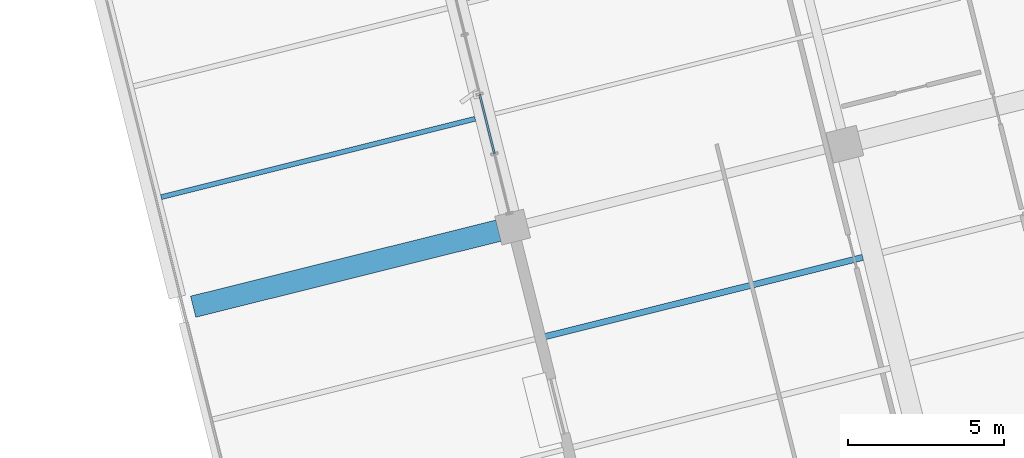
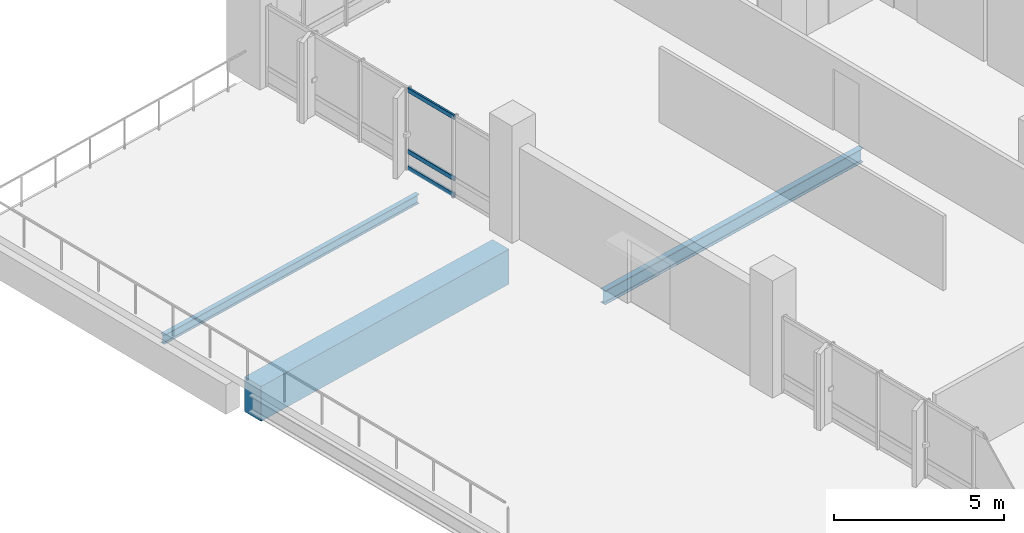
# One storey, part 30 of 75: 3 beams, 3 members, 1 element without a shape of its own.
"""IFC4 building model written with IfcOpenShell, lengths in metres."""

from ifc_helpers import new_model, si_unit, direction, frame, origin, origin_2d, place, context, subcontext, project, spatial, rectangle, hollow_rectangle, i_section, extrude, material, layer, layer_set, material_profile, profile_set, type_object, element, aggregate, save


model = new_model("IFC4")

# Units and contexts
model_context = context("Model", 3, precision=1e-05, world=origin(), true_north=direction((0.0, 1.0)))
body_context = subcontext(model_context, "Body", "Model", "MODEL_VIEW")
ifc_project = project(units=[si_unit("LENGTHUNIT", "METRE"), si_unit("AREAUNIT", "SQUARE_METRE"), si_unit("VOLUMEUNIT", "CUBIC_METRE"), si_unit("PLANEANGLEUNIT", "RADIAN"), si_unit("MASSUNIT", "GRAM", prefix="KILO")], contexts=[model_context])

# Site, building, storey
site_placement = place(None, origin())
site = spatial("IfcSite", under=ifc_project, at=site_placement, CompositionType="ELEMENT")
building_placement = place(site_placement, origin())
building = spatial("IfcBuilding", under=site, at=building_placement, Name="Khorjan Park Terminus", CompositionType="ELEMENT")
storey_placement = place(building_placement, frame((0.0, 0.0, 16.2)))
storey = spatial("IfcBuildingStorey", under=building, at=storey_placement, Name="L03", CompositionType="ELEMENT", Elevation=16.2)

# Beams
ifc_material_1 = material(Name="Concrete C40/50", Category="concrete")
ifc_material_profile_1 = material_profile(ifc_material_1, rectangle(XDim=0.7, YDim=1.25, at=origin_2d()), Name="RC 700x1250")
ifc_profile_set_1 = profile_set([ifc_material_profile_1], Name="Concrete C40/50")
beam_type_1 = type_object("IfcBeamType", Name="BM-RC700x1250", PredefinedType="BEAM", material=ifc_profile_set_1)
beam_1_placement = place(storey_placement, frame((174.4483, 60.7902, -0.895), z_axis=(0.970296490369, 0.241918830968, 0.0), x_axis=(-0.241918830968, 0.970296490369, 0.0)))
element("IfcBeam", 1, at=beam_1_placement, inside=storey, type_object=beam_type_1, Name="Primary skew-grid floor girder GB-125 (L03)", PredefinedType="BEAM", context=body_context, shape_type="SweptSolid", body=[
    extrude(rectangle(XDim=0.7, YDim=1.25, at=origin_2d()), origin(), (0.0, 0.0, 1.0), 10.11),
])
ifc_material_2 = material(Name="Steel S355", Category="steel")
ifc_material_profile_2 = material_profile(ifc_material_2, i_section(OverallWidth=0.16, OverallDepth=0.33, WebThickness=0.0075, FlangeThickness=0.0115, FilletRadius=0.018, at=origin_2d()), Name="IPE 330")
ifc_profile_set_2 = profile_set([ifc_material_profile_2], Name="Steel S355")
beam_type_2 = type_object("IfcBeamType", Name="JS-IPE330", PredefinedType="JOIST", material=ifc_profile_set_2)
beam_2_placement = place(storey_placement, frame((173.4206, 64.3129, -0.515), z_axis=(0.970297843589, 0.241913403364, 0.0), x_axis=(-0.241913403364, 0.970297843589, 0.0)))
element("IfcBeam", 2, at=beam_2_placement, inside=storey, type_object=beam_type_2, Name="Secondary composite floor joist SJ-33 (L03)", PredefinedType="JOIST", context=body_context, shape_type="SweptSolid", body=[
    extrude(i_section(OverallWidth=0.16, OverallDepth=0.33, WebThickness=0.0075, FlangeThickness=0.0115, FilletRadius=0.018, at=origin_2d()), origin(), (0.0, 0.0, 1.0), 10.4),
])
ifc_material_profile_3 = material_profile(ifc_material_2, i_section(OverallWidth=0.2, OverallDepth=0.5, WebThickness=0.0102, FlangeThickness=0.016, FilletRadius=0.021, at=origin_2d()), Name="IPE 500")
ifc_profile_set_3 = profile_set([ifc_material_profile_3], Name="Steel S355")
beam_type_3 = type_object("IfcBeamType", Name="JS-IPE500", PredefinedType="JOIST", material=ifc_profile_set_3)
beam_3_placement = place(storey_placement, frame((185.7467, 59.8282, -0.6), z_axis=(0.970296002015, 0.241920789668, 0.0), x_axis=(-0.241920789668, 0.970296002015, 0.0)))
element("IfcBeam", 3, at=beam_3_placement, inside=storey, type_object=beam_type_3, Name="Secondary composite floor joist SJ-50 (L03)", PredefinedType="JOIST", context=body_context, shape_type="SweptSolid", body=[
    extrude(i_section(OverallWidth=0.2, OverallDepth=0.5, WebThickness=0.0102, FlangeThickness=0.016, FilletRadius=0.021, at=origin_2d()), origin(), (0.0, 0.0, 1.0), 10.5249),
])

# Curtain wall, members
ifc_material_3 = material(Name="Anodized Bronze Aluminium", Category="aluminium")
ifc_layer = layer(ifc_material_3, 0.22)
ifc_layer_set = layer_set([ifc_layer], Name="Anodized Bronze Aluminium")
curtain_wall_type = type_object("IfcCurtainWallType", Name="CW-OPS-B", PredefinedType="NOTDEFINED", material=ifc_layer_set)
curtain_wall_placement = place(storey_placement, origin())
curtain_wall = element("IfcCurtainWall", 4, at=curtain_wall_placement, inside=storey, type_object=curtain_wall_type, Name="Unitized curtain wall CW-B (CW-V5-NW1-L03-B01)", PredefinedType="NOTDEFINED")
ifc_material_profile_4 = material_profile(ifc_material_3, hollow_rectangle(XDim=0.07, YDim=0.16, WallThickness=0.004, InnerFilletRadius=0.004, OuterFilletRadius=0.008, at=origin_2d()), Name="ALT 70x160x4")
ifc_profile_set_4 = profile_set([ifc_material_profile_4], Name="Anodized Bronze Aluminium")
member_type = type_object("IfcMemberType", Name="TR-ALT-160", PredefinedType="USERDEFINED", material=ifc_profile_set_4)
member_1_placement = place(storey_placement, frame((183.6493, 67.6202, 0.04), z_axis=(0.241915440024, -0.970297335809, 0.0), x_axis=(0.970297335809, 0.241915440024, 0.0)))
member_1 = element("IfcMember", 5, at=member_1_placement, type_object=member_type, Name="Curtain-wall transom TR-16 (CW-V5-NW1-L03-B01-3-1)", ObjectType="TRANSOM", PredefinedType="USERDEFINED", context=body_context, shape_type="SweptSolid", body=[
    extrude(hollow_rectangle(XDim=0.07, YDim=0.16, WallThickness=0.004, InnerFilletRadius=0.004, OuterFilletRadius=0.008, at=origin_2d()), origin(), (0.0, 0.0, 1.0), 1.973),
])
member_2_placement = place(storey_placement, frame((183.6493, 67.6202, 0.63), z_axis=(0.241915440024, -0.970297335809, 0.0), x_axis=(0.970297335809, 0.241915440024, 0.0)))
member_2 = element("IfcMember", 6, at=member_2_placement, type_object=member_type, Name="Curtain-wall transom TR-16 (CW-V5-NW1-L03-B01-3-2)", ObjectType="TRANSOM", PredefinedType="USERDEFINED", context=body_context, shape_type="SweptSolid", body=[
    extrude(hollow_rectangle(XDim=0.07, YDim=0.16, WallThickness=0.004, InnerFilletRadius=0.004, OuterFilletRadius=0.008, at=origin_2d()), origin(), (0.0, 0.0, 1.0), 1.973),
])
member_3_placement = place(storey_placement, frame((183.6493, 67.6202, 2.825), z_axis=(0.241915440024, -0.970297335809, 0.0), x_axis=(0.970297335809, 0.241915440024, 0.0)))
member_3 = element("IfcMember", 7, at=member_3_placement, type_object=member_type, Name="Curtain-wall transom TR-16 (CW-V5-NW1-L03-B01-3-3)", ObjectType="TRANSOM", PredefinedType="USERDEFINED", context=body_context, shape_type="SweptSolid", body=[
    extrude(hollow_rectangle(XDim=0.07, YDim=0.16, WallThickness=0.004, InnerFilletRadius=0.004, OuterFilletRadius=0.008, at=origin_2d()), origin(), (0.0, 0.0, 1.0), 1.973),
])
aggregate(curtain_wall, [member_1, member_2, member_3])

save(model, "model.ifc")
